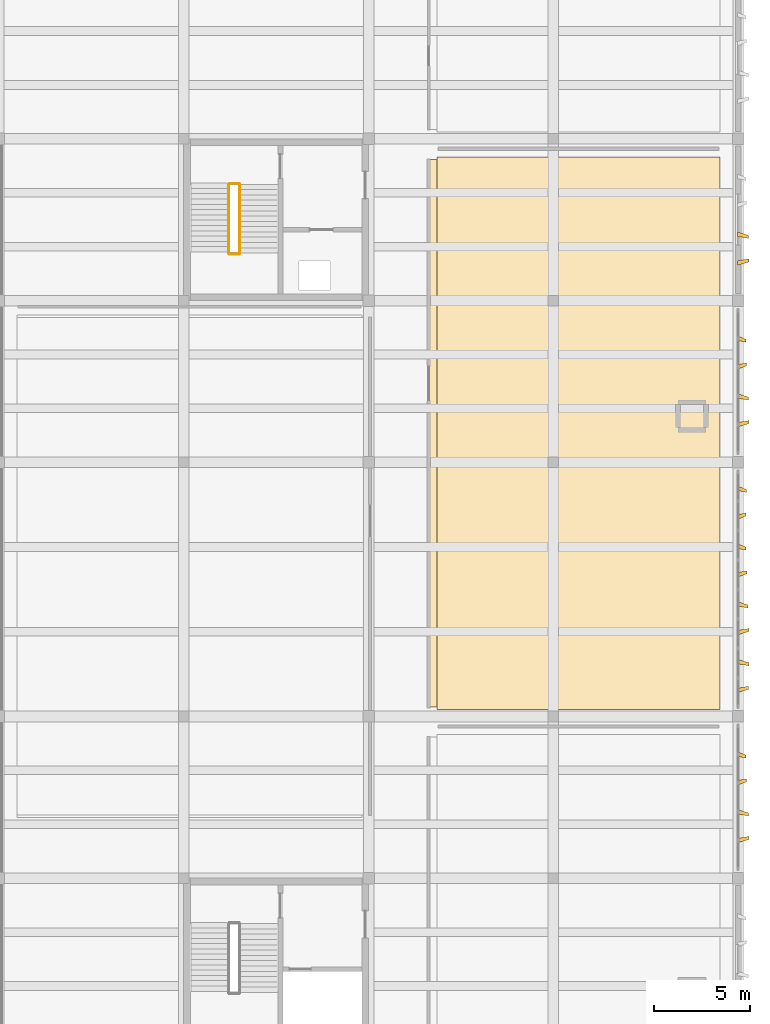
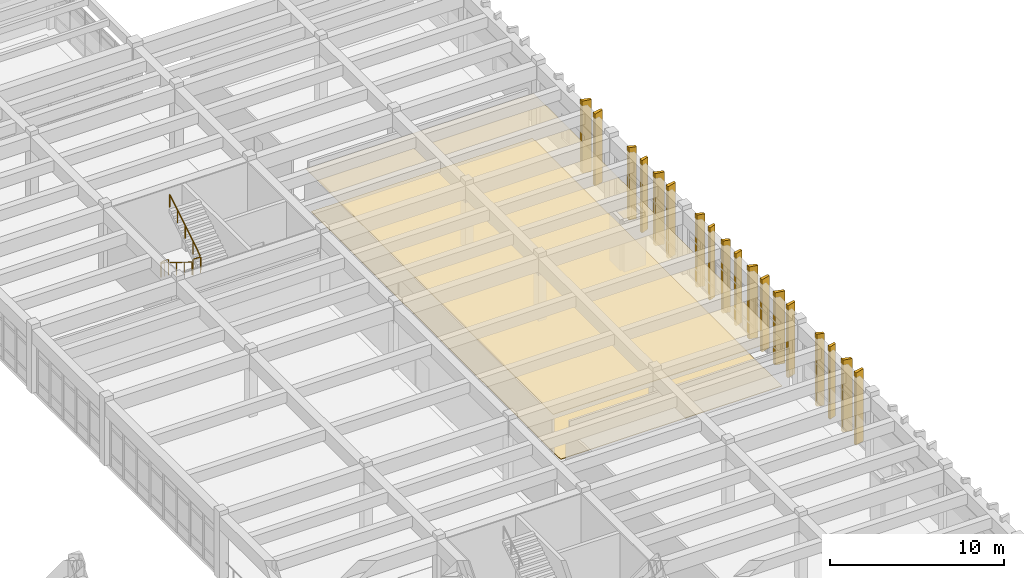
# One storey, part 85 of 86: 20 coverings, 4 railings.
"""IFC4 building model written with IfcOpenShell, lengths in metres."""

import ifcopenshell
import ifcopenshell.guid

model = None  # the IFC model being written
_history = None  # IfcOwnerHistory: only IFC2X3 demands one
_inside = {}  # id of a spatial element -> (the spatial element, [elements in it])
_under = {}  # id of a project, library or spatial element -> (it, [spatial elements below it])
_declared = {}  # id of a project -> (the project, [libraries it declares])
_typed = {}  # id of a type object -> (the type object, [elements of that type])
_made_of = {}  # id of a material, layer set ... -> (it, [elements and type objects made of it])


def new_model(schema):
    """Start an empty IFC model of exactly this schema.

    Asked for "IFC4X3", IfcOpenShell would pick the latest addendum, in which some entities
    have other attributes; the version numbers below select the first issue.
    IFC2X3 requires an IfcOwnerHistory on every rooted entity: one is made here for all.
    """
    global model, _history
    if schema == "IFC4X3":
        model = ifcopenshell.file(schema_version=(4, 3, 0, 0))
    else:
        model = ifcopenshell.file(schema=schema)
    _inside.clear()
    _under.clear()
    _declared.clear()
    _typed.clear()
    _made_of.clear()
    _history = None
    if model.schema == "IFC2X3":
        org = make("IfcOrganization", Name="unknown")
        user = make(
            "IfcPersonAndOrganization",
            ThePerson=make("IfcPerson", FamilyName="unknown"),
            TheOrganization=org,
        )
        app = make(
            "IfcApplication",
            ApplicationDeveloper=org,
            Version="unknown",
            ApplicationFullName="unknown",
            ApplicationIdentifier="unknown",
        )
        _history = make(
            "IfcOwnerHistory",
            OwningUser=user,
            OwningApplication=app,
            ChangeAction="ADDED",
            CreationDate=0,
        )
    return model


def make(cls, **values):
    """One entity of the class cls with the attributes given. An attribute that is None is left unset."""
    return model.create_entity(
        cls, **{name: value for name, value in values.items() if value is not None}
    )


def rooted(cls, **values):
    """An entity with a GlobalId (a new one), such as an element, a storey or a relation."""
    return make(cls, GlobalId=ifcopenshell.guid.new(), OwnerHistory=_history, **values)


def si_unit(unit_type, name, prefix=None):
    """IfcSIUnit, for example si_unit("LENGTHUNIT", "METRE", prefix="MILLI")."""
    return make("IfcSIUnit", UnitType=unit_type, Prefix=prefix, Name=name)


def assignment(units):
    """IfcUnitAssignment: the units of a project."""
    return None if units is None else make("IfcUnitAssignment", Units=units)


def point(xyz):
    """IfcCartesianPoint."""
    return None if xyz is None else make("IfcCartesianPoint", Coordinates=xyz)


def direction(xyz):
    """IfcDirection."""
    return None if xyz is None else make("IfcDirection", DirectionRatios=xyz)


def frame(location, z_axis=None, x_axis=None):
    """IfcAxis2Placement3D, a coordinate frame: its origin and axes. An axis left out is left unset."""
    return make(
        "IfcAxis2Placement3D",
        Location=point(location),
        Axis=direction(z_axis),
        RefDirection=direction(x_axis),
    )


def frame_2d(location, x_axis=None):
    """IfcAxis2Placement2D, a coordinate frame in the plane: its origin and x axis."""
    return make(
        "IfcAxis2Placement2D", Location=point(location), RefDirection=direction(x_axis)
    )


def origin():
    """The frame at (0, 0, 0) with its axes left unset."""
    return frame((0.0, 0.0, 0.0))


def origin_2d():
    """The frame at (0, 0) in the plane with its x axis left unset."""
    return frame_2d((0.0, 0.0))


def place(relative_to, where):
    """IfcLocalPlacement: puts the frame where relative to a parent placement (None: the world)."""
    return make(
        "IfcLocalPlacement", PlacementRelTo=relative_to, RelativePlacement=where
    )


def context(
    kind, dimensions, precision=None, world=None, true_north=None, identifier=None
):
    """IfcGeometricRepresentationContext, for example the 3D "Model" context."""
    return make(
        "IfcGeometricRepresentationContext",
        ContextIdentifier=identifier,
        ContextType=kind,
        CoordinateSpaceDimension=dimensions,
        Precision=precision,
        WorldCoordinateSystem=world,
        TrueNorth=true_north,
    )


def subcontext(parent, identifier, kind, view, scale=None):
    """IfcGeometricRepresentationSubContext, for example "Body" below "Model"."""
    return make(
        "IfcGeometricRepresentationSubContext",
        ContextIdentifier=identifier,
        ContextType=kind,
        ParentContext=parent,
        TargetScale=scale,
        TargetView=view,
    )


def project(units=None, contexts=None):
    """IfcProject with its units and contexts."""
    return rooted(
        "IfcProject",
        Name="project",
        RepresentationContexts=contexts,
        UnitsInContext=assignment(units),
    )


def spatial(cls, under=None, at=None, **own):
    """A site, building, storey or space (cls), placed at a placement, below another one or the project."""
    s = rooted(cls, ObjectPlacement=at, **own)
    if under is not None:
        _under.setdefault(under.id(), (under, []))[1].append(s)
    return s


def polyline(points):
    """IfcPolyline through the points."""
    return make("IfcPolyline", Points=[point(p) for p in points])


def profile(cls, at=None, kind="AREA", **sizes):
    """A parametric profile (cls). Its sizes go by their IFC names, for example OverallWidth=200.0."""
    return make(cls, ProfileType=kind, Position=at, **sizes)


def circle(**sizes):
    """IfcCircleProfileDef."""
    return profile("IfcCircleProfileDef", **sizes)


def outline(outer, holes=None, kind="AREA"):
    """IfcArbitraryClosedProfileDef: a profile drawn as a closed curve; with holes, ...WithVoids."""
    if holes is None:
        return make("IfcArbitraryClosedProfileDef", ProfileType=kind, OuterCurve=outer)
    return make(
        "IfcArbitraryProfileDefWithVoids",
        ProfileType=kind,
        OuterCurve=outer,
        InnerCurves=holes,
    )


def extrude(swept, where, along, depth):
    """IfcExtrudedAreaSolid: the profile swept, set in the frame where, extruded along a direction by depth."""
    return make(
        "IfcExtrudedAreaSolid",
        SweptArea=swept,
        Position=where,
        ExtrudedDirection=direction(along),
        Depth=depth,
    )


def shape(context_of_items, identifier, shape_type, items):
    """IfcShapeRepresentation: the items that make up one representation, for example the "Body"."""
    return make(
        "IfcShapeRepresentation",
        ContextOfItems=context_of_items,
        RepresentationIdentifier=identifier,
        RepresentationType=shape_type,
        Items=items,
    )


def material(Name=None, Category=None):
    """IfcMaterial."""
    return make("IfcMaterial", Name=Name, Category=Category)


def layer(
    of_material, thickness, ventilated=None, Name=None, Category=None, Priority=None
):
    """IfcMaterialLayer: one layer of a wall or slab, of a material (None: an air gap)."""
    return make(
        "IfcMaterialLayer",
        Material=of_material,
        LayerThickness=thickness,
        IsVentilated=ventilated,
        Name=Name,
        Category=Category,
        Priority=Priority,
    )


def layer_set(layers, Name=None):
    """IfcMaterialLayerSet."""
    return make("IfcMaterialLayerSet", MaterialLayers=layers, LayerSetName=Name)


def made_of(thing, what):
    """Note that an element or type object is made of a material, layer set ...; save() writes the relation."""
    if what is not None:
        _made_of.setdefault(what.id(), (what, []))[1].append(thing)
    return thing


def type_object(cls, material=None, **own):
    """A type object (cls), such as IfcWallType, which elements share."""
    return made_of(rooted(cls, **own), material)


def element(
    cls,
    number,
    at=None,
    inside=None,
    cuts=None,
    type_object=None,
    material=None,
    context=None,
    identifier="Body",
    shape_type=None,
    held_by="IfcProductDefinitionShape",
    body=None,
    shapes=None,
    **own,
):
    """One element of the class cls, such as IfcWall. Its Tag is "e" and its number.

    at: its placement. inside: the storey or other place that contains it. cuts: it is an
    opening in that element (IfcRelVoidsElement). A single representation is given by context,
    identifier, shape_type and body (its items); several are given by shapes. held_by: the class
    of the entity that holds the representations. save() writes the other relations.
    """
    e = rooted(cls, Tag="e%d" % number, ObjectPlacement=at, **own)
    if body is not None:
        shapes = [shape(context, identifier, shape_type, body)]
    if shapes is not None:
        e.Representation = make(held_by, Representations=shapes)
    if inside is not None:
        _inside.setdefault(inside.id(), (inside, []))[1].append(e)
    if cuts is not None:
        rooted(
            "IfcRelVoidsElement", RelatingBuildingElement=cuts, RelatedOpeningElement=e
        )
    if type_object is not None:
        _typed.setdefault(type_object.id(), (type_object, []))[1].append(e)
    return made_of(e, material)


def aggregate(whole, parts):
    """IfcRelAggregates: a whole, such as a stair, and the parts it consists of."""
    return rooted("IfcRelAggregates", RelatingObject=whole, RelatedObjects=parts)


def save(model, path):
    """Write the relations noted so far, then the file.

    IfcRelAggregates (storeys below a building ...), IfcRelContainedInSpatialStructure (elements
    in a storey), IfcRelDefinesByType, IfcRelAssociatesMaterial and IfcRelDeclares: one each for
    every whole, place, type object, material and project.
    """
    for whole, parts in _under.values():
        aggregate(whole, parts)
    for where, things in _inside.values():
        rooted(
            "IfcRelContainedInSpatialStructure",
            RelatedElements=things,
            RelatingStructure=where,
        )
    for kind, things in _typed.values():
        rooted("IfcRelDefinesByType", RelatedObjects=things, RelatingType=kind)
    for what, things in _made_of.values():
        rooted("IfcRelAssociatesMaterial", RelatedObjects=things, RelatingMaterial=what)
    for by, libraries in _declared.values():
        rooted("IfcRelDeclares", RelatingContext=by, RelatedDefinitions=libraries)
    model.write(path)


model = new_model("IFC4")

# Units and contexts
model_context = context("Model", 3, precision=1e-05, world=origin(), true_north=direction((0.0, 1.0)))
body_context = subcontext(model_context, "Body", "Model", "MODEL_VIEW")
ifc_project = project(units=[si_unit("LENGTHUNIT", "METRE"), si_unit("AREAUNIT", "SQUARE_METRE"), si_unit("VOLUMEUNIT", "CUBIC_METRE"), si_unit("PLANEANGLEUNIT", "RADIAN"), si_unit("MASSUNIT", "GRAM", prefix="KILO")], contexts=[model_context])

# Site, building, storey
site_placement = place(None, origin())
site = spatial("IfcSite", under=ifc_project, at=site_placement, CompositionType="ELEMENT")
building_placement = place(site_placement, origin())
building = spatial("IfcBuilding", under=site, at=building_placement, Name="Kolvemor Railside Polytechnic", CompositionType="ELEMENT")
storey_placement = place(building_placement, frame((0.0, 0.0, 5.39990234375)))
storey = spatial("IfcBuildingStorey", under=building, at=storey_placement, Name="L01", CompositionType="ELEMENT", Elevation=5.39990234375)

# Coverings
ifc_material_1 = material(Name="Perforated acoustic mineral-fibre and timber-slat ceiling", Category="wood")
ifc_layer_1 = layer(ifc_material_1, 0.0400390625, Name="COV-CEIL-4")
ifc_layer_set_1 = layer_set([ifc_layer_1], Name="Perforated acoustic mineral-fibre and timber-slat ceiling")
covering_type_1 = type_object("IfcCoveringType", Name="COV-CEIL-4", PredefinedType="CEILING", material=ifc_layer_set_1)
covering_1_placement = place(storey_placement, frame((0.0, 0.0, 3.22021484375)))
element("IfcCovering", 1, at=covering_1_placement, inside=storey, type_object=covering_type_1, Name="Staff and Graduate Dining Room Acoustic Ceiling", PredefinedType="CEILING", context=body_context, shape_type="SweptSolid", body=[
    extrude(outline(polyline([(166.320068359375, 38.8798828125), (181.449951171875, 38.8798828125), (181.449951171875, 67.320068359375), (166.320068359375, 67.320068359375), (166.320068359375, 38.8798828125)])), origin(), (0.0, 0.0, 1.0), 0.039794921875),
])
ifc_material_2 = material(Name="Sea-mist PVDF-anodised marine aluminium 5052-H32", Category="aluminium")
ifc_layer_2 = layer(ifc_material_2, 0.159912109375, Name="COV-FIN-MIST")
ifc_layer_set_2 = layer_set([ifc_layer_2], Name="Sea-mist PVDF-anodised marine aluminium 5052-H32")
covering_type_2 = type_object("IfcCoveringType", Name="COV-FIN-MIST", PredefinedType="CLADDING", material=ifc_layer_set_2)
covering_2_placement = place(storey_placement, frame((0.0, 0.0, -0.27978515625)))
element("IfcCovering", 2, at=covering_2_placement, inside=storey, type_object=covering_type_2, Name="Pleated Solar Fin L01-0139", PredefinedType="CLADDING", context=body_context, shape_type="SweptSolid", body=[
    extrude(outline(polyline([(182.364990234375, 31.8349609375), (182.364990234375, 32.06494140625), (182.964111328125, 32.169921875), (182.964111328125, 32.010009765625), (182.364990234375, 31.8349609375)])), origin(), (0.0, 0.0, 1.0), 5.079833984375),
])
covering_3_placement = place(storey_placement, frame((0.0, 0.0, -0.27978515625)))
element("IfcCovering", 3, at=covering_3_placement, inside=storey, type_object=covering_type_2, Name="Pleated Solar Fin L01-0140", PredefinedType="CLADDING", context=body_context, shape_type="SweptSolid", body=[
    extrude(outline(polyline([(182.364990234375, 33.3349609375), (182.364990234375, 33.56494140625), (182.927978515625, 33.389892578125), (182.927978515625, 33.22998046875), (182.364990234375, 33.3349609375)])), origin(), (0.0, 0.0, 1.0), 5.079833984375),
])
covering_4_placement = place(storey_placement, frame((0.0, 0.0, -0.27978515625)))
element("IfcCovering", 4, at=covering_4_placement, inside=storey, type_object=covering_type_2, Name="Pleated Solar Fin L01-0141", PredefinedType="CLADDING", context=body_context, shape_type="SweptSolid", body=[
    extrude(outline(polyline([(182.364990234375, 34.8349609375), (182.364990234375, 35.06494140625), (182.842041015625, 35.169921875), (182.842041015625, 35.010009765625), (182.364990234375, 34.8349609375)])), origin(), (0.0, 0.0, 1.0), 5.079833984375),
])
covering_5_placement = place(storey_placement, frame((0.0, 0.0, -0.27978515625)))
element("IfcCovering", 5, at=covering_5_placement, inside=storey, type_object=covering_type_2, Name="Pleated Solar Fin L01-0142", PredefinedType="CLADDING", context=body_context, shape_type="SweptSolid", body=[
    extrude(outline(polyline([(182.364990234375, 36.3349609375), (182.364990234375, 36.56494140625), (182.805908203125, 36.389892578125), (182.805908203125, 36.22998046875), (182.364990234375, 36.3349609375)])), origin(), (0.0, 0.0, 1.0), 5.079833984375),
])
covering_6_placement = place(storey_placement, frame((0.0, 0.0, -0.27978515625)))
element("IfcCovering", 6, at=covering_6_placement, inside=storey, type_object=covering_type_2, Name="Pleated Solar Fin L01-0179", PredefinedType="CLADDING", context=body_context, shape_type="SweptSolid", body=[
    extrude(outline(polyline([(182.364990234375, 39.635009765625), (182.364990234375, 39.864990234375), (182.93310546875, 39.969970703125), (182.93310546875, 39.81005859375), (182.364990234375, 39.635009765625)])), origin(), (0.0, 0.0, 1.0), 5.079833984375),
])
covering_7_placement = place(storey_placement, frame((0.0, 0.0, -0.27978515625)))
element("IfcCovering", 7, at=covering_7_placement, inside=storey, type_object=covering_type_2, Name="Pleated Solar Fin L01-0180", PredefinedType="CLADDING", context=body_context, shape_type="SweptSolid", body=[
    extrude(outline(polyline([(182.364990234375, 41.135009765625), (182.364990234375, 41.364990234375), (182.962890625, 41.18994140625), (182.962890625, 41.030029296875), (182.364990234375, 41.135009765625)])), origin(), (0.0, 0.0, 1.0), 5.079833984375),
])
covering_8_placement = place(storey_placement, frame((0.0, 0.0, -0.27978515625)))
element("IfcCovering", 8, at=covering_8_placement, inside=storey, type_object=covering_type_2, Name="Pleated Solar Fin L01-0181", PredefinedType="CLADDING", context=body_context, shape_type="SweptSolid", body=[
    extrude(outline(polyline([(182.364990234375, 42.635009765625), (182.364990234375, 42.864990234375), (182.955078125, 42.969970703125), (182.955078125, 42.81005859375), (182.364990234375, 42.635009765625)])), origin(), (0.0, 0.0, 1.0), 5.079833984375),
])
covering_9_placement = place(storey_placement, frame((0.0, 0.0, -0.27978515625)))
element("IfcCovering", 9, at=covering_9_placement, inside=storey, type_object=covering_type_2, Name="Pleated Solar Fin L01-0182", PredefinedType="CLADDING", context=body_context, shape_type="SweptSolid", body=[
    extrude(outline(polyline([(182.364990234375, 44.135009765625), (182.364990234375, 44.364990234375), (182.9130859375, 44.18994140625), (182.9130859375, 44.030029296875), (182.364990234375, 44.135009765625)])), origin(), (0.0, 0.0, 1.0), 5.079833984375),
])
covering_10_placement = place(storey_placement, frame((0.0, 0.0, -0.27978515625)))
element("IfcCovering", 10, at=covering_10_placement, inside=storey, type_object=covering_type_2, Name="Pleated Solar Fin L01-0183", PredefinedType="CLADDING", context=body_context, shape_type="SweptSolid", body=[
    extrude(outline(polyline([(182.364990234375, 45.635009765625), (182.364990234375, 45.864990234375), (182.85693359375, 45.969970703125), (182.85693359375, 45.81005859375), (182.364990234375, 45.635009765625)])), origin(), (0.0, 0.0, 1.0), 5.079833984375),
])
covering_11_placement = place(storey_placement, frame((0.0, 0.0, -0.27978515625)))
element("IfcCovering", 11, at=covering_11_placement, inside=storey, type_object=covering_type_2, Name="Pleated Solar Fin L01-0184", PredefinedType="CLADDING", context=body_context, shape_type="SweptSolid", body=[
    extrude(outline(polyline([(182.364990234375, 47.135009765625), (182.364990234375, 47.364990234375), (182.81494140625, 47.18994140625), (182.81494140625, 47.030029296875), (182.364990234375, 47.135009765625)])), origin(), (0.0, 0.0, 1.0), 5.079833984375),
])
covering_12_placement = place(storey_placement, frame((0.0, 0.0, -0.27978515625)))
element("IfcCovering", 12, at=covering_12_placement, inside=storey, type_object=covering_type_2, Name="Pleated Solar Fin L01-0185", PredefinedType="CLADDING", context=body_context, shape_type="SweptSolid", body=[
    extrude(outline(polyline([(182.364990234375, 48.635009765625), (182.364990234375, 48.864990234375), (182.806884765625, 48.969970703125), (182.806884765625, 48.81005859375), (182.364990234375, 48.635009765625)])), origin(), (0.0, 0.0, 1.0), 5.079833984375),
])
covering_13_placement = place(storey_placement, frame((0.0, 0.0, -0.27978515625)))
element("IfcCovering", 13, at=covering_13_placement, inside=storey, type_object=covering_type_2, Name="Pleated Solar Fin L01-0186", PredefinedType="CLADDING", context=body_context, shape_type="SweptSolid", body=[
    extrude(outline(polyline([(182.364990234375, 50.135009765625), (182.364990234375, 50.364990234375), (182.8369140625, 50.18994140625), (182.8369140625, 50.030029296875), (182.364990234375, 50.135009765625)])), origin(), (0.0, 0.0, 1.0), 5.079833984375),
])
covering_14_placement = place(storey_placement, frame((0.0, 0.0, -0.27978515625)))
element("IfcCovering", 14, at=covering_14_placement, inside=storey, type_object=covering_type_2, Name="Pleated Solar Fin L01-0212", PredefinedType="CLADDING", context=body_context, shape_type="SweptSolid", body=[
    extrude(outline(polyline([(182.364990234375, 53.43505859375), (182.364990234375, 53.6650390625), (182.964111328125, 53.77001953125), (182.964111328125, 53.610107421875), (182.364990234375, 53.43505859375)])), origin(), (0.0, 0.0, 1.0), 5.079833984375),
])
covering_15_placement = place(storey_placement, frame((0.0, 0.0, -0.27978515625)))
element("IfcCovering", 15, at=covering_15_placement, inside=storey, type_object=covering_type_2, Name="Pleated Solar Fin L01-0213", PredefinedType="CLADDING", context=body_context, shape_type="SweptSolid", body=[
    extrude(outline(polyline([(182.364990234375, 54.93505859375), (182.364990234375, 55.1650390625), (182.927978515625, 54.989990234375), (182.927978515625, 54.830078125), (182.364990234375, 54.93505859375)])), origin(), (0.0, 0.0, 1.0), 5.079833984375),
])
covering_16_placement = place(storey_placement, frame((0.0, 0.0, -0.27978515625)))
element("IfcCovering", 16, at=covering_16_placement, inside=storey, type_object=covering_type_2, Name="Pleated Solar Fin L01-0214", PredefinedType="CLADDING", context=body_context, shape_type="SweptSolid", body=[
    extrude(outline(polyline([(182.364990234375, 56.43505859375), (182.364990234375, 56.6650390625), (182.842041015625, 56.77001953125), (182.842041015625, 56.610107421875), (182.364990234375, 56.43505859375)])), origin(), (0.0, 0.0, 1.0), 5.079833984375),
])
covering_17_placement = place(storey_placement, frame((0.0, 0.0, -0.27978515625)))
element("IfcCovering", 17, at=covering_17_placement, inside=storey, type_object=covering_type_2, Name="Pleated Solar Fin L01-0215", PredefinedType="CLADDING", context=body_context, shape_type="SweptSolid", body=[
    extrude(outline(polyline([(182.364990234375, 57.93505859375), (182.364990234375, 58.1650390625), (182.805908203125, 57.989990234375), (182.805908203125, 57.830078125), (182.364990234375, 57.93505859375)])), origin(), (0.0, 0.0, 1.0), 5.079833984375),
])
covering_18_placement = place(storey_placement, frame((0.0, 0.0, -0.27978515625)))
element("IfcCovering", 18, at=covering_18_placement, inside=storey, type_object=covering_type_2, Name="Pleated Solar Fin L01-0237", PredefinedType="CLADDING", context=body_context, shape_type="SweptSolid", body=[
    extrude(outline(polyline([(182.364990234375, 61.8349609375), (182.364990234375, 62.06494140625), (182.964111328125, 62.169921875), (182.964111328125, 62.010009765625), (182.364990234375, 61.8349609375)])), origin(), (0.0, 0.0, 1.0), 5.079833984375),
])
covering_19_placement = place(storey_placement, frame((0.0, 0.0, -0.27978515625)))
element("IfcCovering", 19, at=covering_19_placement, inside=storey, type_object=covering_type_2, Name="Pleated Solar Fin L01-0238", PredefinedType="CLADDING", context=body_context, shape_type="SweptSolid", body=[
    extrude(outline(polyline([(182.364990234375, 63.3349609375), (182.364990234375, 63.56494140625), (182.927978515625, 63.389892578125), (182.927978515625, 63.22998046875), (182.364990234375, 63.3349609375)])), origin(), (0.0, 0.0, 1.0), 5.079833984375),
])
ifc_material_3 = material(Name="Polished coral-aggregate terrazzo and laboratory epoxy flooring")
ifc_layer_3 = layer(ifc_material_3, 0.034912109375, Name="COV-FLR-4")
ifc_layer_set_3 = layer_set([ifc_layer_3], Name="Polished coral-aggregate terrazzo and laboratory epoxy flooring")
covering_type_3 = type_object("IfcCoveringType", Name="COV-FLR-4", PredefinedType="FLOORING", material=ifc_layer_set_3)
covering_20_placement = place(storey_placement, origin())
element("IfcCovering", 20, at=covering_20_placement, inside=storey, type_object=covering_type_3, Name="Staff and Graduate Dining Room Floor Finish", PredefinedType="FLOORING", context=body_context, shape_type="SweptSolid", body=[
    extrude(outline(polyline([(166.75, 38.75), (181.449951171875, 38.75), (181.449951171875, 67.449951171875), (166.75, 67.449951171875), (166.75, 38.75)])), origin(), (0.0, 0.0, 1.0), 0.03515625),
])

# Railings
ifc_material_4 = material(Name="AISI 316 marine stainless-steel balustrade guard", Category="steel")
railing_type_1 = type_object("IfcRailingType", Name="RLG-GUARD-1120", PredefinedType="BALUSTRADE", material=ifc_material_4)
railing_1_placement = place(storey_placement, frame((155.97998046875, 66.080078125, 0.0)))
element("IfcRailing", 21, at=railing_1_placement, inside=storey, type_object=railing_type_1, Name="ST-7 Floor Slot Guard L01", PredefinedType="BALUSTRADE", context=body_context, shape_type="SweptSolid", body=[
    extrude(circle(Radius=0.02392578125, at=origin_2d()), frame((0.054931640625, 0.0, 1.09619140625), z_axis=(1.0, 0.0, 0.0), x_axis=(0.0, 1.0, 0.0)), (0.0, 0.0, 1.0), 0.389892578125),
    extrude(circle(Radius=0.02099609375, at=origin_2d()), origin(), (0.0, 0.0, 1.0), 1.05712890625),
    extrude(circle(Radius=0.02099609375, at=origin_2d()), frame((0.25, 0.0, 0.0)), (0.0, 0.0, 1.0), 1.05712890625),
    extrude(circle(Radius=0.02099609375, at=origin_2d()), frame((0.5, 0.0, 0.0)), (0.0, 0.0, 1.0), 1.05712890625),
])
railing_2_placement = place(storey_placement, frame((155.97998046875, 62.405029296875, 2.400146484375)))
element("IfcRailing", 22, at=railing_2_placement, inside=storey, type_object=railing_type_1, Name="ST-7 Half-Landing Slot Guard L01", PredefinedType="BALUSTRADE", context=body_context, shape_type="SweptSolid", body=[
    extrude(circle(Radius=0.02392578125, at=origin_2d()), frame((0.054931640625, 0.0, 1.09619140625), z_axis=(1.0, 0.0, 0.0), x_axis=(0.0, 1.0, 0.0)), (0.0, 0.0, 1.0), 0.389892578125),
    extrude(circle(Radius=0.02099609375, at=origin_2d()), origin(), (0.0, 0.0, 1.0), 1.05712890625),
    extrude(circle(Radius=0.02099609375, at=origin_2d()), frame((0.5, 0.0, 0.0)), (0.0, 0.0, 1.0), 1.05712890625),
])
ifc_material_5 = material(Name="Brushed AISI 316 stainless-steel stair handrail", Category="steel")
railing_type_2 = type_object("IfcRailingType", Name="RLG-HANDRAIL-920", PredefinedType="HANDRAIL", material=ifc_material_5)
railing_3_placement = place(storey_placement, frame((155.93994140625, 66.02001953125, 0.171630859375)))
element("IfcRailing", 23, at=railing_3_placement, inside=storey, type_object=railing_type_2, Name="ST-7 Flight 1 Handrail L01", PredefinedType="HANDRAIL", context=body_context, shape_type="SweptSolid", body=[
    extrude(circle(Radius=0.02392578125, at=origin_2d()), frame((0.0, -0.046630859375, 0.925048828125), z_axis=(0.0, -0.848619585623, 0.529003590628), x_axis=(1.0, 0.0, 0.0)), (0.0, 0.0, 1.0), 4.102783203125),
    extrude(circle(Radius=0.02099609375, at=origin_2d()), origin(), (0.0, 0.0, 1.0), 0.85693359375),
    extrude(circle(Radius=0.02099609375, at=origin_2d()), frame((0.0, -0.893798828125, 0.55712890625)), (0.0, 0.0, 1.0), 0.85693359375),
    extrude(circle(Radius=0.02099609375, at=origin_2d()), frame((0.0, -1.78759765625, 1.1142578125)), (0.0, 0.0, 1.0), 0.85693359375),
    extrude(circle(Radius=0.02099609375, at=origin_2d()), frame((0.0, -2.68115234375, 1.67138671875)), (0.0, 0.0, 1.0), 0.85693359375),
    extrude(circle(Radius=0.02099609375, at=origin_2d()), frame((0.0, -3.574951171875, 2.228515625)), (0.0, 0.0, 1.0), 0.85693359375),
])
railing_4_placement = place(storey_placement, frame((156.52001953125, 62.445068359375, 2.571533203125)))
element("IfcRailing", 24, at=railing_4_placement, inside=storey, type_object=railing_type_2, Name="ST-7 Flight 2 Handrail L01", PredefinedType="HANDRAIL", context=body_context, shape_type="SweptSolid", body=[
    extrude(circle(Radius=0.02392578125, at=origin_2d()), frame((0.0, 0.046630859375, 0.925048828125), z_axis=(0.0, 0.848619585623, 0.529003590628), x_axis=(-1.0, 0.0, 0.0)), (0.0, 0.0, 1.0), 4.102783203125),
    extrude(circle(Radius=0.02099609375, at=origin_2d()), origin(), (0.0, 0.0, 1.0), 0.85693359375),
    extrude(circle(Radius=0.02099609375, at=origin_2d()), frame((0.0, 0.893798828125, 0.55712890625)), (0.0, 0.0, 1.0), 0.85693359375),
    extrude(circle(Radius=0.02099609375, at=origin_2d()), frame((0.0, 1.78759765625, 1.1142578125)), (0.0, 0.0, 1.0), 0.85693359375),
    extrude(circle(Radius=0.02099609375, at=origin_2d()), frame((0.0, 2.68115234375, 1.67138671875)), (0.0, 0.0, 1.0), 0.85693359375),
    extrude(circle(Radius=0.02099609375, at=origin_2d()), frame((0.0, 3.574951171875, 2.228515625)), (0.0, 0.0, 1.0), 0.85693359375),
])

save(model, "model.ifc")
